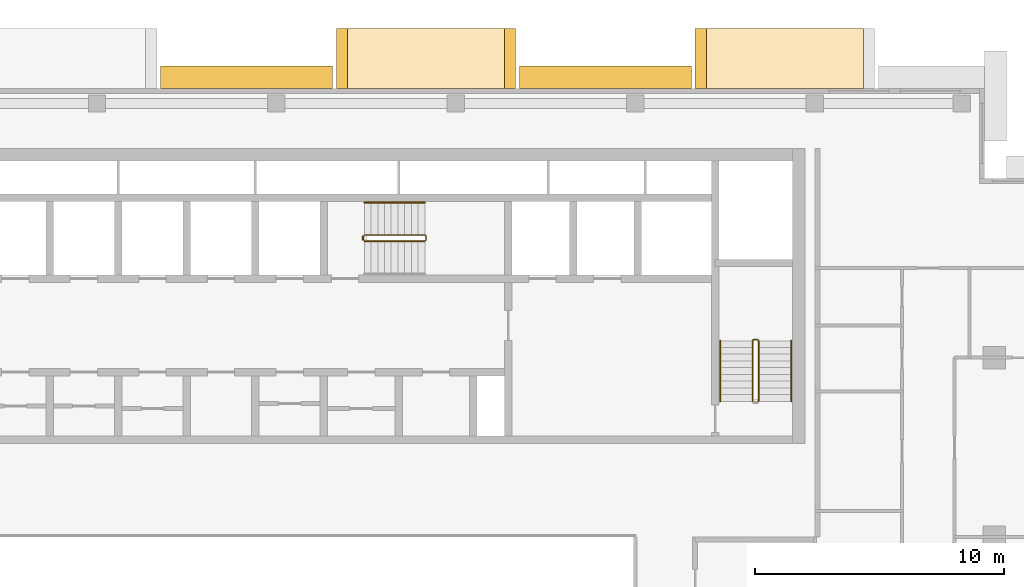
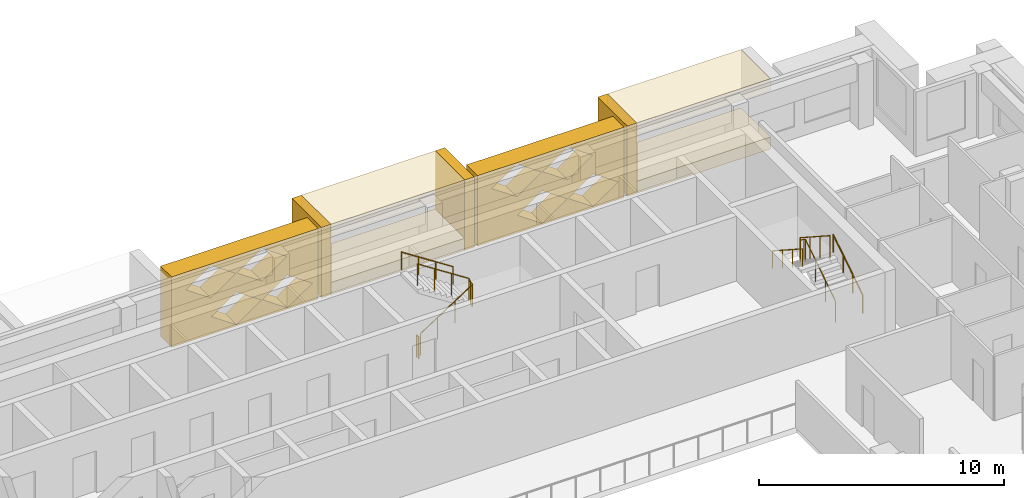
# One storey, part 18 of 19: 9 coverings, 6 railings.
"""IFC4 building model written with IfcOpenShell, lengths in metres."""

from ifc_helpers import new_model, si_unit, direction, frame, origin, origin_2d, place, context, subcontext, project, spatial, polyline, circle, outline, extrude, material, type_object, element, save


model = new_model("IFC4")

# Units and contexts
model_context = context("Model", 3, precision=1e-05, world=origin(), true_north=direction((0.0, 1.0)))
body_context = subcontext(model_context, "Body", "Model", "MODEL_VIEW")
ifc_project = project(units=[si_unit("LENGTHUNIT", "METRE"), si_unit("AREAUNIT", "SQUARE_METRE"), si_unit("VOLUMEUNIT", "CUBIC_METRE"), si_unit("PLANEANGLEUNIT", "RADIAN"), si_unit("MASSUNIT", "GRAM", prefix="KILO")], contexts=[model_context])

# Site, building, storey
site_placement = place(None, origin())
site = spatial("IfcSite", under=ifc_project, at=site_placement, CompositionType="ELEMENT")
building_placement = place(site_placement, origin())
building = spatial("IfcBuilding", under=site, at=building_placement, Name="Saffron Iwan Residences", CompositionType="ELEMENT")
storey_placement = place(building_placement, frame((0.0, 0.0, 218.5)))
storey = spatial("IfcBuildingStorey", under=building, at=storey_placement, Name="L58", CompositionType="ELEMENT", Elevation=218.5)

# Coverings
ifc_material_1 = material(Name="Precast concrete C40/50", Category="concrete")
covering_type_1 = type_object("IfcCoveringType", Name="OUTER SKIN LATTICE SCREEN", PredefinedType="CLADDING", material=ifc_material_1)
for number, where, z_axis, x_axis, name in (
    (1, (67.050048828125, 80.39990234375, -0.280029296875), (0.0, 1.0, 0.0), (-1.0, 0.0, 0.0), "OUTER SKIN lattice screen L58 F5.1"),
    (2, (52.64990234375, 80.39990234375, -0.280029296875), (0.0, 1.0, 0.0), (-1.0, 0.0, 0.0), "OUTER SKIN lattice screen L58 F5.2"),
):
    element("IfcCovering", number, at=place(storey_placement, frame(where, z_axis=z_axis, x_axis=x_axis)), inside=storey, type_object=covering_type_1, Name=name, PredefinedType="CLADDING", context=body_context, shape_type="SweptSolid", body=[
        extrude(outline(polyline([(0.0, 0.0), (6.89990234375, 0.0), (6.89990234375, 3.5), (0.0, 3.5), (0.0, 0.0)]), holes=[polyline([(0.27001953125, 0.875), (1.449951171875, 0.06005859375), (2.6298828125, 0.875), (1.449951171875, 1.68994140625), (0.27001953125, 0.875)]), polyline([(2.669921875, 0.875), (3.85009765625, 0.06005859375), (5.030029296875, 0.875), (3.85009765625, 1.68994140625), (2.669921875, 0.875)]), polyline([(1.469970703125, 2.625), (2.64990234375, 1.81005859375), (3.830078125, 2.625), (2.64990234375, 3.43994140625), (1.469970703125, 2.625)]), polyline([(3.8701171875, 2.625), (5.050048828125, 1.81005859375), (6.22998046875, 2.625), (5.050048828125, 3.43994140625), (3.8701171875, 2.625)])]), origin(), (0.0, 0.0, 1.0), 0.900146484375),
    ])

# Railings
ifc_material_2 = material(Name="Steel S355", Category="steel")
railing_type_1 = type_object("IfcRailingType", Name="Stair guard 1100", PredefinedType="GUARDRAIL", material=ifc_material_2)
railing_1_placement = place(storey_placement, frame((53.925048828125, 74.27490234375, 0.175048828125)))
element("IfcRailing", 3, at=railing_1_placement, inside=storey, type_object=railing_type_1, Name="L58 ST-C stair guard 1", PredefinedType="GUARDRAIL", context=body_context, shape_type="SweptSolid", body=[
    extrude(circle(Radius=0.02392578125, at=origin_2d()), frame((0.0, 0.0, 1.076171875), z_axis=(0.839153699163, 0.0, 0.543894354798), x_axis=(0.0, 1.0, 0.0)), (0.0, 0.0, 1.0), 2.895751953125),
    extrude(circle(Radius=0.02392578125, at=origin_2d()), frame((2.429931640625, 0.0, 2.65087890625), z_axis=(0.707106781187, 0.707106781187, 0.0), x_axis=(-0.707106781187, 0.707106781187, 0.0)), (0.0, 0.0, 1.0), 0.07080078125),
    extrude(circle(Radius=0.02392578125, at=origin_2d()), frame((2.47998046875, 0.050048828125, 2.65087890625), z_axis=(0.0, 1.0, 0.0), x_axis=(-1.0, 0.0, 0.0)), (0.0, 0.0, 1.0), 0.150146484375),
    extrude(circle(Radius=0.02392578125, at=origin_2d()), frame((2.47998046875, 0.2001953125, 2.65087890625), z_axis=(-0.265155923931, 0.263862480399, 0.927399011991), x_axis=(-0.705375805398, -0.708833529934, 0.0)), (0.0, 0.0, 1.0), 0.188720703125),
    extrude(circle(Radius=0.02392578125, at=origin_2d()), frame((2.429931640625, 0.25, 2.826171875), z_axis=(-0.839153699163, 0.0, 0.543894354798), x_axis=(0.0, -1.0, 0.0)), (0.0, 0.0, 1.0), 2.895751953125),
    extrude(circle(Radius=0.02099609375, at=origin_2d()), origin(), (0.0, 0.0, 1.0), 1.052001953125),
    extrude(circle(Radius=0.02099609375, at=origin_2d()), frame((0.81005859375, 0.0, 0.52490234375)), (0.0, 0.0, 1.0), 1.052001953125),
    extrude(circle(Radius=0.02099609375, at=origin_2d()), frame((1.619873046875, 0.0, 1.050048828125)), (0.0, 0.0, 1.0), 1.052001953125),
    extrude(circle(Radius=0.02099609375, at=origin_2d()), frame((2.429931640625, 0.0, 1.574951171875)), (0.0, 0.0, 1.0), 1.052001953125),
    extrude(circle(Radius=0.02099609375, at=origin_2d()), frame((2.47998046875, 0.050048828125, 1.574951171875)), (0.0, 0.0, 1.0), 1.052001953125),
    extrude(circle(Radius=0.02099609375, at=origin_2d()), frame((2.47998046875, 0.2001953125, 1.574951171875)), (0.0, 0.0, 1.0), 1.052001953125),
    extrude(circle(Radius=0.02099609375, at=origin_2d()), frame((2.429931640625, 0.25, 1.75)), (0.0, 0.0, 1.0), 1.052001953125),
    extrude(circle(Radius=0.02099609375, at=origin_2d()), frame((1.619873046875, 0.25, 2.27490234375)), (0.0, 0.0, 1.0), 1.052001953125),
    extrude(circle(Radius=0.02099609375, at=origin_2d()), frame((0.81005859375, 0.25, 2.800048828125)), (0.0, 0.0, 1.0), 1.052001953125),
    extrude(circle(Radius=0.02099609375, at=origin_2d()), frame((0.0, 0.25, 3.324951171875)), (0.0, 0.0, 1.0), 1.052001953125),
])
railing_2_placement = place(storey_placement, frame((53.875, 74.324951171875, 0.0)))
element("IfcRailing", 4, at=railing_2_placement, inside=storey, type_object=railing_type_1, Name="L58 ST-C stair guard 2", PredefinedType="GUARDRAIL", context=body_context, shape_type="SweptSolid", body=[
    extrude(circle(Radius=0.02392578125, at=origin_2d()), frame((0.0, 0.0, 1.076171875), z_axis=(0.0, 1.0, 0.0), x_axis=(-1.0, 0.0, 0.0)), (0.0, 0.0, 1.0), 0.150146484375),
    extrude(circle(Radius=0.02099609375, at=origin_2d()), origin(), (0.0, 0.0, 1.0), 1.052001953125),
    extrude(circle(Radius=0.02099609375, at=origin_2d()), frame((0.0, 0.150146484375, 0.0)), (0.0, 0.0, 1.0), 1.052001953125),
])
railing_3_placement = place(storey_placement, frame((69.75, 67.85009765625, 0.175048828125)))
element("IfcRailing", 5, at=railing_3_placement, inside=storey, type_object=railing_type_1, Name="L58 ST-E stair guard 1", PredefinedType="GUARDRAIL", context=body_context, shape_type="SweptSolid", body=[
    extrude(circle(Radius=0.02392578125, at=origin_2d()), frame((0.0, 0.0, 1.076171875), z_axis=(0.0, 0.839153699163, 0.543894354798), x_axis=(-1.0, 0.0, 0.0)), (0.0, 0.0, 1.0), 2.895751953125),
    extrude(circle(Radius=0.02392578125, at=origin_2d()), frame((0.0, 2.429931640625, 2.65087890625), z_axis=(-0.707106781187, 0.707106781187, 0.0), x_axis=(-0.707106781187, -0.707106781187, 0.0)), (0.0, 0.0, 1.0), 0.07080078125),
    extrude(circle(Radius=0.02392578125, at=origin_2d()), frame((-0.050048828125, 2.47998046875, 2.65087890625), z_axis=(-1.0, 0.0, 0.0), x_axis=(0.0, -1.0, 0.0)), (0.0, 0.0, 1.0), 0.14990234375),
    extrude(circle(Radius=0.02392578125, at=origin_2d()), frame((-0.199951171875, 2.47998046875, 2.65087890625), z_axis=(-0.265065253269, -0.265065253269, 0.927081885822), x_axis=(0.707106781187, -0.707106781187, 0.0)), (0.0, 0.0, 1.0), 0.188720703125),
    extrude(circle(Radius=0.02392578125, at=origin_2d()), frame((-0.25, 2.429931640625, 2.826171875), z_axis=(0.0, -0.839153699163, 0.543894354798), x_axis=(1.0, 0.0, 0.0)), (0.0, 0.0, 1.0), 2.895751953125),
    extrude(circle(Radius=0.02099609375, at=origin_2d()), origin(), (0.0, 0.0, 1.0), 1.052001953125),
    extrude(circle(Radius=0.02099609375, at=origin_2d()), frame((0.0, 0.81005859375, 0.52490234375)), (0.0, 0.0, 1.0), 1.052001953125),
    extrude(circle(Radius=0.02099609375, at=origin_2d()), frame((0.0, 1.619873046875, 1.050048828125)), (0.0, 0.0, 1.0), 1.052001953125),
    extrude(circle(Radius=0.02099609375, at=origin_2d()), frame((0.0, 2.429931640625, 1.574951171875)), (0.0, 0.0, 1.0), 1.052001953125),
    extrude(circle(Radius=0.02099609375, at=origin_2d()), frame((-0.050048828125, 2.47998046875, 1.574951171875)), (0.0, 0.0, 1.0), 1.052001953125),
    extrude(circle(Radius=0.02099609375, at=origin_2d()), frame((-0.199951171875, 2.47998046875, 1.574951171875)), (0.0, 0.0, 1.0), 1.052001953125),
    extrude(circle(Radius=0.02099609375, at=origin_2d()), frame((-0.25, 2.429931640625, 1.75)), (0.0, 0.0, 1.0), 1.052001953125),
    extrude(circle(Radius=0.02099609375, at=origin_2d()), frame((-0.25, 1.619873046875, 2.27490234375)), (0.0, 0.0, 1.0), 1.052001953125),
    extrude(circle(Radius=0.02099609375, at=origin_2d()), frame((-0.25, 0.81005859375, 2.800048828125)), (0.0, 0.0, 1.0), 1.052001953125),
    extrude(circle(Radius=0.02099609375, at=origin_2d()), frame((-0.25, 0.0, 3.324951171875)), (0.0, 0.0, 1.0), 1.052001953125),
])
ifc_material_3 = material(Name="Stainless steel 316", Category="steel")
railing_type_2 = type_object("IfcRailingType", Name="Stair handrail 900", PredefinedType="HANDRAIL", material=ifc_material_3)
railing_4_placement = place(storey_placement, frame((56.35498046875, 75.824951171875, 1.925048828125)))
element("IfcRailing", 6, at=railing_4_placement, inside=storey, type_object=railing_type_2, Name="L58 ST-C stair handrail 2", PredefinedType="HANDRAIL", context=body_context, shape_type="SweptSolid", body=[
    extrude(circle(Radius=0.02392578125, at=origin_2d()), frame((0.0, 0.0, 0.8759765625), z_axis=(-0.839153699163, 0.0, 0.543894354798), x_axis=(0.0, -1.0, 0.0)), (0.0, 0.0, 1.0), 2.895751953125),
    extrude(circle(Radius=0.02099609375, at=origin_2d()), origin(), (0.0, 0.0, 1.0), 0.851806640625),
    extrude(circle(Radius=0.02099609375, at=origin_2d()), frame((-0.81005859375, 0.0, 0.52490234375)), (0.0, 0.0, 1.0), 0.851806640625),
    extrude(circle(Radius=0.02099609375, at=origin_2d()), frame((-1.619873046875, 0.0, 1.050048828125)), (0.0, 0.0, 1.0), 0.851806640625),
    extrude(circle(Radius=0.02099609375, at=origin_2d()), frame((-2.429931640625, 0.0, 1.574951171875)), (0.0, 0.0, 1.0), 0.851806640625),
])
railing_5_placement = place(storey_placement, frame((71.050048828125, 67.85009765625, 0.175048828125)))
element("IfcRailing", 7, at=railing_5_placement, inside=storey, type_object=railing_type_2, Name="L58 ST-E stair handrail 1", PredefinedType="HANDRAIL", context=body_context, shape_type="SweptSolid", body=[
    extrude(circle(Radius=0.02392578125, at=origin_2d()), frame((0.0, 0.0, 0.8759765625), z_axis=(0.0, 0.839153699163, 0.543894354798), x_axis=(-1.0, 0.0, 0.0)), (0.0, 0.0, 1.0), 2.895751953125),
    extrude(circle(Radius=0.02099609375, at=origin_2d()), origin(), (0.0, 0.0, 1.0), 0.851806640625),
    extrude(circle(Radius=0.02099609375, at=origin_2d()), frame((0.0, 0.81005859375, 0.52490234375)), (0.0, 0.0, 1.0), 0.851806640625),
    extrude(circle(Radius=0.02099609375, at=origin_2d()), frame((0.0, 1.619873046875, 1.050048828125)), (0.0, 0.0, 1.0), 0.851806640625),
    extrude(circle(Radius=0.02099609375, at=origin_2d()), frame((0.0, 2.429931640625, 1.574951171875)), (0.0, 0.0, 1.0), 0.851806640625),
])
railing_6_placement = place(storey_placement, frame((68.199951171875, 70.280029296875, 1.925048828125)))
element("IfcRailing", 8, at=railing_6_placement, inside=storey, type_object=railing_type_2, Name="L58 ST-E stair handrail 2", PredefinedType="HANDRAIL", context=body_context, shape_type="SweptSolid", body=[
    extrude(circle(Radius=0.02392578125, at=origin_2d()), frame((0.0, 0.0, 0.8759765625), z_axis=(0.0, -0.839153699163, 0.543894354798), x_axis=(1.0, 0.0, 0.0)), (0.0, 0.0, 1.0), 2.895751953125),
    extrude(circle(Radius=0.02099609375, at=origin_2d()), origin(), (0.0, 0.0, 1.0), 0.851806640625),
    extrude(circle(Radius=0.02099609375, at=origin_2d()), frame((0.0, -0.81005859375, 0.52490234375)), (0.0, 0.0, 1.0), 0.851806640625),
    extrude(circle(Radius=0.02099609375, at=origin_2d()), frame((0.0, -1.619873046875, 1.050048828125)), (0.0, 0.0, 1.0), 0.851806640625),
    extrude(circle(Radius=0.02099609375, at=origin_2d()), frame((0.0, -2.429931640625, 1.574951171875)), (0.0, 0.0, 1.0), 0.851806640625),
])

# Coverings
ifc_material_4 = material(Name="Precast concrete C40/50 white painted", Category="concrete")
covering_type_2 = type_object("IfcCoveringType", Name="WHITE SUN FRAME PRECAST", PredefinedType="CLADDING", material=ifc_material_4)
covering_placement = place(storey_placement, frame((67.64990234375, 80.39990234375, -0.280029296875), z_axis=(0.0, 1.0, 0.0), x_axis=(-1.0, 0.0, 0.0)))
element("IfcCovering", 9, at=covering_placement, inside=storey, type_object=covering_type_2, Name="Sun frame L58 F5 4.4b", PredefinedType="CLADDING", context=body_context, shape_type="SweptSolid", body=[
    extrude(outline(polyline([(0.0, 0.0), (0.449951171875, 0.0), (0.449951171875, 3.5), (0.0, 3.5), (0.0, 0.0)])), origin(), (0.0, 0.0, 1.0), 2.400146484375),
])
for number, where, z_axis, x_axis, name in (
    (10, (73.949951171875, 80.39990234375, 2.6201171875), (0.0, 1.0, 0.0), (-1.0, 0.0, 0.0), "Sun frame L58 F5 4.4h"),
    (11, (73.949951171875, 80.39990234375, -0.280029296875), (0.0, 1.0, 0.0), (-1.0, 0.0, 0.0), "Sun frame L58 F5 4.4s"),
):
    element("IfcCovering", number, at=place(storey_placement, frame(where, z_axis=z_axis, x_axis=x_axis)), inside=storey, type_object=covering_type_2, Name=name, PredefinedType="CLADDING", context=body_context, shape_type="SweptSolid", body=[
        extrude(outline(polyline([(0.0, 0.0), (6.300048828125, 0.0), (6.300048828125, 0.60009765625), (0.0, 0.60009765625), (0.0, 0.0)])), origin(), (0.0, 0.0, 1.0), 2.400146484375),
    ])
for number, where, z_axis, x_axis, name in (
    (12, (60.0, 80.39990234375, -0.280029296875), (0.0, 1.0, 0.0), (-1.0, 0.0, 0.0), "Sun frame L58 F5 18.8a"),
    (13, (53.25, 80.39990234375, -0.280029296875), (0.0, 1.0, 0.0), (-1.0, 0.0, 0.0), "Sun frame L58 F5 18.8b"),
):
    element("IfcCovering", number, at=place(storey_placement, frame(where, z_axis=z_axis, x_axis=x_axis)), inside=storey, type_object=covering_type_2, Name=name, PredefinedType="CLADDING", context=body_context, shape_type="SweptSolid", body=[
        extrude(outline(polyline([(0.0, 0.0), (0.449951171875, 0.0), (0.449951171875, 3.5), (0.0, 3.5), (0.0, 0.0)])), origin(), (0.0, 0.0, 1.0), 2.400146484375),
    ])
for number, where, z_axis, x_axis, name in (
    (14, (59.550048828125, 80.39990234375, 2.6201171875), (0.0, 1.0, 0.0), (-1.0, 0.0, 0.0), "Sun frame L58 F5 18.8h"),
    (15, (59.550048828125, 80.39990234375, -0.280029296875), (0.0, 1.0, 0.0), (-1.0, 0.0, 0.0), "Sun frame L58 F5 18.8s"),
):
    element("IfcCovering", number, at=place(storey_placement, frame(where, z_axis=z_axis, x_axis=x_axis)), inside=storey, type_object=covering_type_2, Name=name, PredefinedType="CLADDING", context=body_context, shape_type="SweptSolid", body=[
        extrude(outline(polyline([(0.0, 0.0), (6.300048828125, 0.0), (6.300048828125, 0.60009765625), (0.0, 0.60009765625), (0.0, 0.0)])), origin(), (0.0, 0.0, 1.0), 2.400146484375),
    ])

save(model, "model.ifc")
